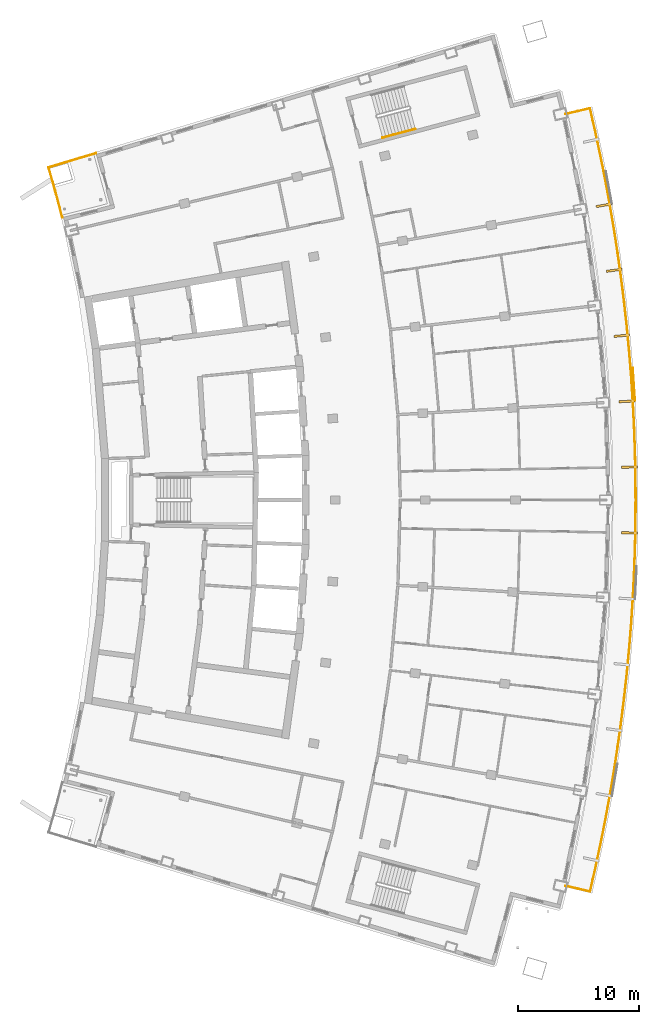
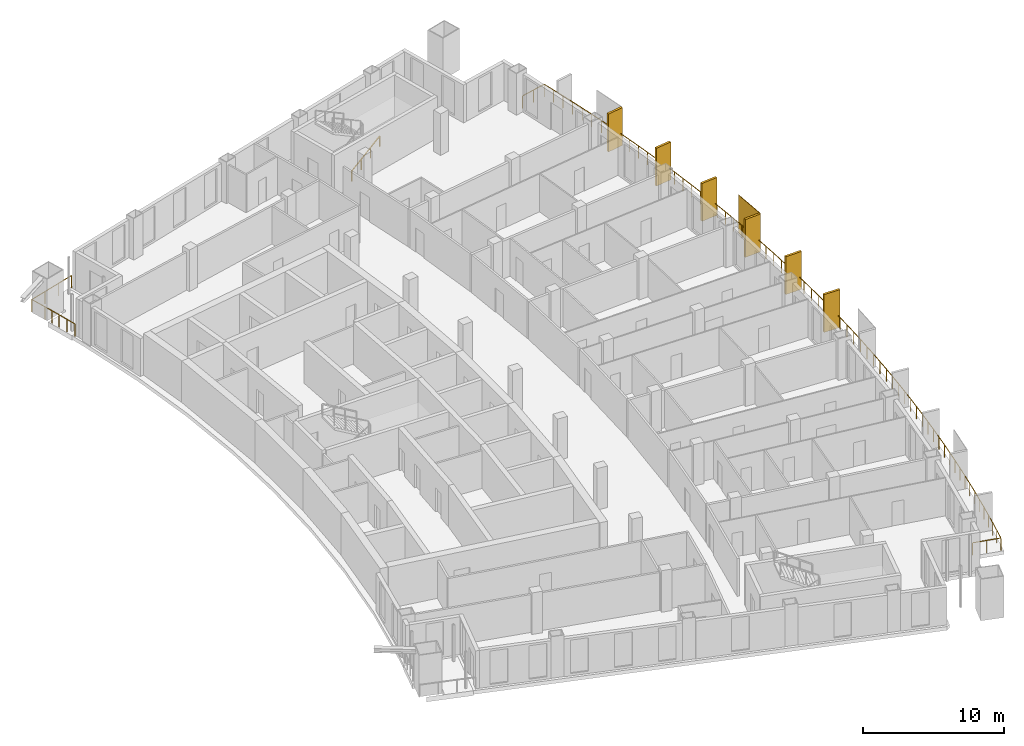
# One storey, part 18 of 19: 7 shading devices, 3 railings.
"""IFC4 building model written with IfcOpenShell, lengths in metres."""

from ifc_helpers import new_model, si_unit, direction, frame, origin, origin_2d, place, context, subcontext, project, spatial, rectangle, extrude, material, layer, layer_set, type_object, element, save


model = new_model("IFC4")

# Units and contexts
model_context = context("Model", 3, precision=1e-05, world=origin(), true_north=direction((0.0, 1.0)))
body_context = subcontext(model_context, "Body", "Model", "MODEL_VIEW")
ifc_project = project(units=[si_unit("LENGTHUNIT", "METRE"), si_unit("AREAUNIT", "SQUARE_METRE"), si_unit("VOLUMEUNIT", "CUBIC_METRE"), si_unit("PLANEANGLEUNIT", "RADIAN"), si_unit("MASSUNIT", "GRAM", prefix="KILO")], contexts=[model_context])

# Site, building, storey
site_placement = place(None, origin())
site = spatial("IfcSite", under=ifc_project, at=site_placement, CompositionType="ELEMENT")
building_placement = place(site_placement, origin())
building = spatial("IfcBuilding", under=site, at=building_placement, Name="Alderwake Tower", CompositionType="ELEMENT")
storey_placement = place(building_placement, frame((0.0, 0.0, 203.60009765625)))
storey = spatial("IfcBuildingStorey", under=building, at=storey_placement, Name="L50", CompositionType="ELEMENT", Elevation=203.60009765625)

# Railings
ifc_material_1 = material(Name="Stainless steel 316 rail and posts", Category="steel")
railing_type_1 = type_object("IfcRailingType", Name="Balcony guard 1100", PredefinedType="GUARDRAIL", material=ifc_material_1)
railing_1_placement = place(storey_placement, frame((54.86669921875, 29.048583984375, 0.0)))
element("IfcRailing", 1, at=railing_1_placement, inside=storey, type_object=railing_type_1, Name="Guard BF03", PredefinedType="GUARDRAIL", context=body_context, shape_type="SweptSolid", body=[
    extrude(rectangle(XDim=0.048095703125, YDim=0.048095703125, at=origin_2d()), frame((0.0, 0.0, 1.076171875), z_axis=(0.973069996158, -0.230509831846, 0.0), x_axis=(0.230509831846, 0.973069996158, 0.0)), (0.0, 0.0, 1.0), 2.100341796875),
    extrude(rectangle(XDim=0.048095703125, YDim=0.048095703125, at=origin_2d()), frame((2.043701171875, -0.484130859375, 1.076171875), z_axis=(0.223653450953, 0.974668730327, 0.0), x_axis=(-0.974668730327, 0.223653450953, 0.0)), (0.0, 0.0, 1.0), 1.951904296875),
    extrude(rectangle(XDim=0.048095703125, YDim=0.048095703125, at=origin_2d()), frame((2.480224609375, 1.418212890625, 1.076171875), z_axis=(0.209894744365, 0.977723987784, 0.0), x_axis=(-0.977723987784, 0.209894744365, 0.0)), (0.0, 0.0, 1.0), 2.0517578125),
    extrude(rectangle(XDim=0.048095703125, YDim=0.048095703125, at=origin_2d()), frame((2.910888671875, 3.42431640625, 1.076171875), z_axis=(0.195727136621, 0.980658395156, 0.0), x_axis=(-0.980658395156, 0.195727136621, 0.0)), (0.0, 0.0, 1.0), 2.052001953125),
    extrude(rectangle(XDim=0.048095703125, YDim=0.048095703125, at=origin_2d()), frame((3.3125, 5.4365234375, 1.076171875), z_axis=(0.18121997098, 0.983442587098, 0.0), x_axis=(-0.983442587098, 0.18121997098, 0.0)), (0.0, 0.0, 1.0), 2.0517578125),
    extrude(rectangle(XDim=0.048095703125, YDim=0.048095703125, at=origin_2d()), frame((3.684326171875, 7.454345703125, 1.076171875), z_axis=(0.166925923017, 0.985969439803, 0.0), x_axis=(-0.985969439803, 0.166925923017, 0.0)), (0.0, 0.0, 1.0), 2.052001953125),
    extrude(rectangle(XDim=0.048095703125, YDim=0.048095703125, at=origin_2d()), frame((4.02685546875, 9.4775390625, 1.076171875), z_axis=(0.152539987711, 0.988297299475, 0.0), x_axis=(-0.988297299475, 0.152539987711, 0.0)), (0.0, 0.0, 1.0), 2.0517578125),
    extrude(rectangle(XDim=0.048095703125, YDim=0.048095703125, at=origin_2d()), frame((4.33984375, 11.50537109375, 1.076171875), z_axis=(0.138139033555, 0.990412846952, 0.0), x_axis=(-0.990412846952, 0.138139033555, 0.0)), (0.0, 0.0, 1.0), 2.052001953125),
    extrude(rectangle(XDim=0.048095703125, YDim=0.048095703125, at=origin_2d()), frame((4.623291015625, 13.53759765625, 1.076171875), z_axis=(0.123507517364, 0.992343636627, 0.0), x_axis=(-0.992343636627, 0.123507517364, 0.0)), (0.0, 0.0, 1.0), 2.0517578125),
    extrude(rectangle(XDim=0.048095703125, YDim=0.048095703125, at=origin_2d()), frame((4.876708984375, 15.57373046875, 1.076171875), z_axis=(0.109229967975, 0.994016505948, 0.0), x_axis=(-0.994016505948, 0.109229967975, 0.0)), (0.0, 0.0, 1.0), 2.0517578125),
    extrude(rectangle(XDim=0.048095703125, YDim=0.048095703125, at=origin_2d()), frame((5.100830078125, 17.61328125, 1.076171875), z_axis=(0.094590111319, 0.995516303654, 0.0), x_axis=(-0.995516303654, 0.094590111319, 0.0)), (0.0, 0.0, 1.0), 2.052001953125),
    extrude(rectangle(XDim=0.048095703125, YDim=0.048095703125, at=origin_2d()), frame((5.294921875, 19.656005859375, 1.076171875), z_axis=(0.080199229738, 0.996778853884, 0.0), x_axis=(-0.996778853884, 0.080199229738, 0.0)), (0.0, 0.0, 1.0), 2.0517578125),
    extrude(rectangle(XDim=0.048095703125, YDim=0.048095703125, at=origin_2d()), frame((5.45947265625, 21.701171875, 1.076171875), z_axis=(0.065563376145, 0.997848407178, 0.0), x_axis=(-0.997848407178, 0.065563376145, 0.0)), (0.0, 0.0, 1.0), 2.0517578125),
    extrude(rectangle(XDim=0.048095703125, YDim=0.048095703125, at=origin_2d()), frame((5.593994140625, 23.74853515625, 1.076171875), z_axis=(0.051047382786, 0.99869623245, 0.0), x_axis=(-0.99869623245, 0.051047382786, 0.0)), (0.0, 0.0, 1.0), 2.0517578125),
    extrude(rectangle(XDim=0.048095703125, YDim=0.048095703125, at=origin_2d()), frame((5.69873046875, 25.797607421875, 1.076171875), z_axis=(0.036408752989, 0.999336981556, 0.0), x_axis=(-0.999336981556, 0.036408752989, 0.0)), (0.0, 0.0, 1.0), 2.052001953125),
    extrude(rectangle(XDim=0.048095703125, YDim=0.048095703125, at=origin_2d()), frame((5.7734375, 27.84814453125, 1.076171875), z_axis=(0.021891693926, 0.999760348152, 0.0), x_axis=(-0.999760348152, 0.021891693926, 0.0)), (0.0, 0.0, 1.0), 2.052001953125),
    extrude(rectangle(XDim=0.048095703125, YDim=0.048095703125, at=origin_2d()), frame((5.818359375, 29.899658203125, 1.076171875), z_axis=(0.00725825716, 0.999973658505, 0.0), x_axis=(-0.999973658505, 0.00725825716, 0.0)), (0.0, 0.0, 1.0), 2.0517578125),
    extrude(rectangle(XDim=0.048095703125, YDim=0.048095703125, at=origin_2d()), frame((5.833251953125, 31.951416015625, 1.076171875), z_axis=(-0.00725825716, 0.999973658505, 0.0), x_axis=(-0.999973658505, -0.00725825716, 0.0)), (0.0, 0.0, 1.0), 2.0517578125),
    extrude(rectangle(XDim=0.048095703125, YDim=0.048095703125, at=origin_2d()), frame((5.818359375, 34.003173828125, 1.076171875), z_axis=(-0.021891693926, 0.999760348152, 0.0), x_axis=(-0.999760348152, -0.021891693926, 0.0)), (0.0, 0.0, 1.0), 2.052001953125),
    extrude(rectangle(XDim=0.048095703125, YDim=0.048095703125, at=origin_2d()), frame((5.7734375, 36.0546875, 1.076171875), z_axis=(-0.036408752989, 0.999336981556, 0.0), x_axis=(-0.999336981556, -0.036408752989, 0.0)), (0.0, 0.0, 1.0), 2.052001953125),
    extrude(rectangle(XDim=0.048095703125, YDim=0.048095703125, at=origin_2d()), frame((5.69873046875, 38.105224609375, 1.076171875), z_axis=(-0.051047382786, 0.99869623245, 0.0), x_axis=(-0.99869623245, -0.051047382786, 0.0)), (0.0, 0.0, 1.0), 2.0517578125),
    extrude(rectangle(XDim=0.048095703125, YDim=0.048095703125, at=origin_2d()), frame((5.593994140625, 40.154296875, 1.076171875), z_axis=(-0.065563376145, 0.997848407178, 0.0), x_axis=(-0.997848407178, -0.065563376145, 0.0)), (0.0, 0.0, 1.0), 2.0517578125),
    extrude(rectangle(XDim=0.048095703125, YDim=0.048095703125, at=origin_2d()), frame((5.45947265625, 42.20166015625, 1.076171875), z_axis=(-0.080199229738, 0.996778853884, 0.0), x_axis=(-0.996778853884, -0.080199229738, 0.0)), (0.0, 0.0, 1.0), 2.0517578125),
    extrude(rectangle(XDim=0.048095703125, YDim=0.048095703125, at=origin_2d()), frame((5.294921875, 44.246826171875, 1.076171875), z_axis=(-0.094590111319, 0.995516303654, 0.0), x_axis=(-0.995516303654, -0.094590111319, 0.0)), (0.0, 0.0, 1.0), 2.052001953125),
    extrude(rectangle(XDim=0.048095703125, YDim=0.048095703125, at=origin_2d()), frame((5.100830078125, 46.28955078125, 1.076171875), z_axis=(-0.109229967975, 0.994016505948, 0.0), x_axis=(-0.994016505948, -0.109229967975, 0.0)), (0.0, 0.0, 1.0), 2.0517578125),
    extrude(rectangle(XDim=0.048095703125, YDim=0.048095703125, at=origin_2d()), frame((4.876708984375, 48.3291015625, 1.076171875), z_axis=(-0.123507517364, 0.992343636627, 0.0), x_axis=(-0.992343636627, -0.123507517364, 0.0)), (0.0, 0.0, 1.0), 2.0517578125),
    extrude(rectangle(XDim=0.048095703125, YDim=0.048095703125, at=origin_2d()), frame((4.623291015625, 50.365234375, 1.076171875), z_axis=(-0.138139033555, 0.990412846952, 0.0), x_axis=(-0.990412846952, -0.138139033555, 0.0)), (0.0, 0.0, 1.0), 2.052001953125),
    extrude(rectangle(XDim=0.048095703125, YDim=0.048095703125, at=origin_2d()), frame((4.33984375, 52.3974609375, 1.076171875), z_axis=(-0.152539987711, 0.988297299475, 0.0), x_axis=(-0.988297299475, -0.152539987711, 0.0)), (0.0, 0.0, 1.0), 2.0517578125),
    extrude(rectangle(XDim=0.048095703125, YDim=0.048095703125, at=origin_2d()), frame((4.02685546875, 54.42529296875, 1.076171875), z_axis=(-0.166925923017, 0.985969439803, 0.0), x_axis=(-0.985969439803, -0.166925923017, 0.0)), (0.0, 0.0, 1.0), 2.052001953125),
    extrude(rectangle(XDim=0.048095703125, YDim=0.048095703125, at=origin_2d()), frame((3.684326171875, 56.448486328125, 1.076171875), z_axis=(-0.18121997098, 0.983442587098, 0.0), x_axis=(-0.983442587098, -0.18121997098, 0.0)), (0.0, 0.0, 1.0), 2.0517578125),
    extrude(rectangle(XDim=0.048095703125, YDim=0.048095703125, at=origin_2d()), frame((3.3125, 58.46630859375, 1.076171875), z_axis=(-0.195727136621, 0.980658395156, 0.0), x_axis=(-0.980658395156, -0.195727136621, 0.0)), (0.0, 0.0, 1.0), 2.052001953125),
    extrude(rectangle(XDim=0.048095703125, YDim=0.048095703125, at=origin_2d()), frame((2.910888671875, 60.478515625, 1.076171875), z_axis=(-0.209894744365, 0.977723987784, 0.0), x_axis=(-0.977723987784, -0.209894744365, 0.0)), (0.0, 0.0, 1.0), 2.0517578125),
    extrude(rectangle(XDim=0.048095703125, YDim=0.048095703125, at=origin_2d()), frame((2.480224609375, 62.484619140625, 1.076171875), z_axis=(-0.223653450953, 0.974668730327, 0.0), x_axis=(-0.974668730327, -0.223653450953, 0.0)), (0.0, 0.0, 1.0), 1.951904296875),
    extrude(rectangle(XDim=0.048095703125, YDim=0.048095703125, at=origin_2d()), frame((2.043701171875, 64.386962890625, 1.076171875), z_axis=(-0.973069996158, -0.230509831846, 0.0), x_axis=(0.230509831846, -0.973069996158, 0.0)), (0.0, 0.0, 1.0), 2.100341796875),
    extrude(rectangle(XDim=0.0419921875, YDim=0.0419921875, at=origin_2d()), frame((0.0, 0.0, 0.0), z_axis=(0.0, 0.0, 1.0), x_axis=(0.973069996158, -0.230509831846, 0.0)), (0.0, 0.0, 1.0), 1.052001953125),
    extrude(rectangle(XDim=0.0419921875, YDim=0.0419921875, at=origin_2d()), frame((1.02197265625, -0.2421875, 0.0), z_axis=(0.0, 0.0, 1.0), x_axis=(0.973069996158, -0.230509831846, 0.0)), (0.0, 0.0, 1.0), 1.052001953125),
    extrude(rectangle(XDim=0.0419921875, YDim=0.0419921875, at=origin_2d()), frame((2.043701171875, -0.484130859375, 0.0), z_axis=(0.0, 0.0, 1.0), x_axis=(0.223653450953, 0.974668730327, 0.0)), (0.0, 0.0, 1.0), 1.052001953125),
    extrude(rectangle(XDim=0.0419921875, YDim=0.0419921875, at=origin_2d()), frame((2.261962890625, 0.467041015625, 0.0), z_axis=(0.0, 0.0, 1.0), x_axis=(0.223653450953, 0.974668730327, 0.0)), (0.0, 0.0, 1.0), 1.052001953125),
    extrude(rectangle(XDim=0.0419921875, YDim=0.0419921875, at=origin_2d()), frame((2.480224609375, 1.418212890625, 0.0), z_axis=(0.0, 0.0, 1.0), x_axis=(0.209894744365, 0.977723987784, 0.0)), (0.0, 0.0, 1.0), 1.052001953125),
    extrude(rectangle(XDim=0.0419921875, YDim=0.0419921875, at=origin_2d()), frame((2.695556640625, 2.42138671875, 0.0), z_axis=(0.0, 0.0, 1.0), x_axis=(0.209894744365, 0.977723987784, 0.0)), (0.0, 0.0, 1.0), 1.052001953125),
    extrude(rectangle(XDim=0.0419921875, YDim=0.0419921875, at=origin_2d()), frame((2.910888671875, 3.42431640625, 0.0), z_axis=(0.0, 0.0, 1.0), x_axis=(0.195727136621, 0.980658395156, 0.0)), (0.0, 0.0, 1.0), 1.052001953125),
    extrude(rectangle(XDim=0.0419921875, YDim=0.0419921875, at=origin_2d()), frame((3.11181640625, 4.430419921875, 0.0), z_axis=(0.0, 0.0, 1.0), x_axis=(0.195727136621, 0.980658395156, 0.0)), (0.0, 0.0, 1.0), 1.052001953125),
    extrude(rectangle(XDim=0.0419921875, YDim=0.0419921875, at=origin_2d()), frame((3.3125, 5.4365234375, 0.0), z_axis=(0.0, 0.0, 1.0), x_axis=(0.18121997098, 0.983442587098, 0.0)), (0.0, 0.0, 1.0), 1.052001953125),
    extrude(rectangle(XDim=0.0419921875, YDim=0.0419921875, at=origin_2d()), frame((3.49853515625, 6.4453125, 0.0), z_axis=(0.0, 0.0, 1.0), x_axis=(0.18121997098, 0.983442587098, 0.0)), (0.0, 0.0, 1.0), 1.052001953125),
    extrude(rectangle(XDim=0.0419921875, YDim=0.0419921875, at=origin_2d()), frame((3.684326171875, 7.454345703125, 0.0), z_axis=(0.0, 0.0, 1.0), x_axis=(0.166925923017, 0.985969439803, 0.0)), (0.0, 0.0, 1.0), 1.052001953125),
    extrude(rectangle(XDim=0.0419921875, YDim=0.0419921875, at=origin_2d()), frame((3.85546875, 8.4658203125, 0.0), z_axis=(0.0, 0.0, 1.0), x_axis=(0.166925923017, 0.985969439803, 0.0)), (0.0, 0.0, 1.0), 1.052001953125),
    extrude(rectangle(XDim=0.0419921875, YDim=0.0419921875, at=origin_2d()), frame((4.02685546875, 9.4775390625, 0.0), z_axis=(0.0, 0.0, 1.0), x_axis=(0.152539987711, 0.988297299475, 0.0)), (0.0, 0.0, 1.0), 1.052001953125),
    extrude(rectangle(XDim=0.0419921875, YDim=0.0419921875, at=origin_2d()), frame((4.183349609375, 10.491455078125, 0.0), z_axis=(0.0, 0.0, 1.0), x_axis=(0.152539987711, 0.988297299475, 0.0)), (0.0, 0.0, 1.0), 1.052001953125),
    extrude(rectangle(XDim=0.0419921875, YDim=0.0419921875, at=origin_2d()), frame((4.33984375, 11.50537109375, 0.0), z_axis=(0.0, 0.0, 1.0), x_axis=(0.138139033555, 0.990412846952, 0.0)), (0.0, 0.0, 1.0), 1.052001953125),
    extrude(rectangle(XDim=0.0419921875, YDim=0.0419921875, at=origin_2d()), frame((4.4814453125, 12.521484375, 0.0), z_axis=(0.0, 0.0, 1.0), x_axis=(0.138139033555, 0.990412846952, 0.0)), (0.0, 0.0, 1.0), 1.052001953125),
    extrude(rectangle(XDim=0.0419921875, YDim=0.0419921875, at=origin_2d()), frame((4.623291015625, 13.53759765625, 0.0), z_axis=(0.0, 0.0, 1.0), x_axis=(0.123507517364, 0.992343636627, 0.0)), (0.0, 0.0, 1.0), 1.052001953125),
    extrude(rectangle(XDim=0.0419921875, YDim=0.0419921875, at=origin_2d()), frame((4.75, 14.5556640625, 0.0), z_axis=(0.0, 0.0, 1.0), x_axis=(0.123507517364, 0.992343636627, 0.0)), (0.0, 0.0, 1.0), 1.052001953125),
    extrude(rectangle(XDim=0.0419921875, YDim=0.0419921875, at=origin_2d()), frame((4.876708984375, 15.57373046875, 0.0), z_axis=(0.0, 0.0, 1.0), x_axis=(0.109229967975, 0.994016505948, 0.0)), (0.0, 0.0, 1.0), 1.052001953125),
    extrude(rectangle(XDim=0.0419921875, YDim=0.0419921875, at=origin_2d()), frame((4.98876953125, 16.593505859375, 0.0), z_axis=(0.0, 0.0, 1.0), x_axis=(0.109229967975, 0.994016505948, 0.0)), (0.0, 0.0, 1.0), 1.052001953125),
    extrude(rectangle(XDim=0.0419921875, YDim=0.0419921875, at=origin_2d()), frame((5.100830078125, 17.61328125, 0.0), z_axis=(0.0, 0.0, 1.0), x_axis=(0.094590111319, 0.995516303654, 0.0)), (0.0, 0.0, 1.0), 1.052001953125),
    extrude(rectangle(XDim=0.0419921875, YDim=0.0419921875, at=origin_2d()), frame((5.19775390625, 18.634765625, 0.0), z_axis=(0.0, 0.0, 1.0), x_axis=(0.094590111319, 0.995516303654, 0.0)), (0.0, 0.0, 1.0), 1.052001953125),
    extrude(rectangle(XDim=0.0419921875, YDim=0.0419921875, at=origin_2d()), frame((5.294921875, 19.656005859375, 0.0), z_axis=(0.0, 0.0, 1.0), x_axis=(0.080199229738, 0.996778853884, 0.0)), (0.0, 0.0, 1.0), 1.052001953125),
    extrude(rectangle(XDim=0.0419921875, YDim=0.0419921875, at=origin_2d()), frame((5.377197265625, 20.6787109375, 0.0), z_axis=(0.0, 0.0, 1.0), x_axis=(0.080199229738, 0.996778853884, 0.0)), (0.0, 0.0, 1.0), 1.052001953125),
    extrude(rectangle(XDim=0.0419921875, YDim=0.0419921875, at=origin_2d()), frame((5.45947265625, 21.701171875, 0.0), z_axis=(0.0, 0.0, 1.0), x_axis=(0.065563376145, 0.997848407178, 0.0)), (0.0, 0.0, 1.0), 1.052001953125),
    extrude(rectangle(XDim=0.0419921875, YDim=0.0419921875, at=origin_2d()), frame((5.52685546875, 22.724853515625, 0.0), z_axis=(0.0, 0.0, 1.0), x_axis=(0.065563376145, 0.997848407178, 0.0)), (0.0, 0.0, 1.0), 1.052001953125),
    extrude(rectangle(XDim=0.0419921875, YDim=0.0419921875, at=origin_2d()), frame((5.593994140625, 23.74853515625, 0.0), z_axis=(0.0, 0.0, 1.0), x_axis=(0.051047382786, 0.99869623245, 0.0)), (0.0, 0.0, 1.0), 1.052001953125),
    extrude(rectangle(XDim=0.0419921875, YDim=0.0419921875, at=origin_2d()), frame((5.646484375, 24.77294921875, 0.0), z_axis=(0.0, 0.0, 1.0), x_axis=(0.051047382786, 0.99869623245, 0.0)), (0.0, 0.0, 1.0), 1.052001953125),
    extrude(rectangle(XDim=0.0419921875, YDim=0.0419921875, at=origin_2d()), frame((5.69873046875, 25.797607421875, 0.0), z_axis=(0.0, 0.0, 1.0), x_axis=(0.036408752989, 0.999336981556, 0.0)), (0.0, 0.0, 1.0), 1.052001953125),
    extrude(rectangle(XDim=0.0419921875, YDim=0.0419921875, at=origin_2d()), frame((5.736083984375, 26.82275390625, 0.0), z_axis=(0.0, 0.0, 1.0), x_axis=(0.036408752989, 0.999336981556, 0.0)), (0.0, 0.0, 1.0), 1.052001953125),
    extrude(rectangle(XDim=0.0419921875, YDim=0.0419921875, at=origin_2d()), frame((5.7734375, 27.84814453125, 0.0), z_axis=(0.0, 0.0, 1.0), x_axis=(0.021891693926, 0.999760348152, 0.0)), (0.0, 0.0, 1.0), 1.052001953125),
    extrude(rectangle(XDim=0.0419921875, YDim=0.0419921875, at=origin_2d()), frame((5.7958984375, 28.8740234375, 0.0), z_axis=(0.0, 0.0, 1.0), x_axis=(0.021891693926, 0.999760348152, 0.0)), (0.0, 0.0, 1.0), 1.052001953125),
    extrude(rectangle(XDim=0.0419921875, YDim=0.0419921875, at=origin_2d()), frame((5.818359375, 29.899658203125, 0.0), z_axis=(0.0, 0.0, 1.0), x_axis=(0.00725825716, 0.999973658505, 0.0)), (0.0, 0.0, 1.0), 1.052001953125),
    extrude(rectangle(XDim=0.0419921875, YDim=0.0419921875, at=origin_2d()), frame((5.82568359375, 30.925537109375, 0.0), z_axis=(0.0, 0.0, 1.0), x_axis=(0.00725825716, 0.999973658505, 0.0)), (0.0, 0.0, 1.0), 1.052001953125),
    extrude(rectangle(XDim=0.0419921875, YDim=0.0419921875, at=origin_2d()), frame((5.833251953125, 31.951416015625, 0.0), z_axis=(0.0, 0.0, 1.0), x_axis=(-0.00725825716, 0.999973658505, 0.0)), (0.0, 0.0, 1.0), 1.052001953125),
    extrude(rectangle(XDim=0.0419921875, YDim=0.0419921875, at=origin_2d()), frame((5.82568359375, 32.977294921875, 0.0), z_axis=(0.0, 0.0, 1.0), x_axis=(-0.00725825716, 0.999973658505, 0.0)), (0.0, 0.0, 1.0), 1.052001953125),
    extrude(rectangle(XDim=0.0419921875, YDim=0.0419921875, at=origin_2d()), frame((5.818359375, 34.003173828125, 0.0), z_axis=(0.0, 0.0, 1.0), x_axis=(-0.021891693926, 0.999760348152, 0.0)), (0.0, 0.0, 1.0), 1.052001953125),
    extrude(rectangle(XDim=0.0419921875, YDim=0.0419921875, at=origin_2d()), frame((5.7958984375, 35.02880859375, 0.0), z_axis=(0.0, 0.0, 1.0), x_axis=(-0.021891693926, 0.999760348152, 0.0)), (0.0, 0.0, 1.0), 1.052001953125),
    extrude(rectangle(XDim=0.0419921875, YDim=0.0419921875, at=origin_2d()), frame((5.7734375, 36.0546875, 0.0), z_axis=(0.0, 0.0, 1.0), x_axis=(-0.036408752989, 0.999336981556, 0.0)), (0.0, 0.0, 1.0), 1.052001953125),
    extrude(rectangle(XDim=0.0419921875, YDim=0.0419921875, at=origin_2d()), frame((5.736083984375, 37.080078125, 0.0), z_axis=(0.0, 0.0, 1.0), x_axis=(-0.036408752989, 0.999336981556, 0.0)), (0.0, 0.0, 1.0), 1.052001953125),
    extrude(rectangle(XDim=0.0419921875, YDim=0.0419921875, at=origin_2d()), frame((5.69873046875, 38.105224609375, 0.0), z_axis=(0.0, 0.0, 1.0), x_axis=(-0.051047382786, 0.99869623245, 0.0)), (0.0, 0.0, 1.0), 1.052001953125),
    extrude(rectangle(XDim=0.0419921875, YDim=0.0419921875, at=origin_2d()), frame((5.646484375, 39.1298828125, 0.0), z_axis=(0.0, 0.0, 1.0), x_axis=(-0.051047382786, 0.99869623245, 0.0)), (0.0, 0.0, 1.0), 1.052001953125),
    extrude(rectangle(XDim=0.0419921875, YDim=0.0419921875, at=origin_2d()), frame((5.593994140625, 40.154296875, 0.0), z_axis=(0.0, 0.0, 1.0), x_axis=(-0.065563376145, 0.997848407178, 0.0)), (0.0, 0.0, 1.0), 1.052001953125),
    extrude(rectangle(XDim=0.0419921875, YDim=0.0419921875, at=origin_2d()), frame((5.52685546875, 41.177978515625, 0.0), z_axis=(0.0, 0.0, 1.0), x_axis=(-0.065563376145, 0.997848407178, 0.0)), (0.0, 0.0, 1.0), 1.052001953125),
    extrude(rectangle(XDim=0.0419921875, YDim=0.0419921875, at=origin_2d()), frame((5.45947265625, 42.20166015625, 0.0), z_axis=(0.0, 0.0, 1.0), x_axis=(-0.080199229738, 0.996778853884, 0.0)), (0.0, 0.0, 1.0), 1.052001953125),
    extrude(rectangle(XDim=0.0419921875, YDim=0.0419921875, at=origin_2d()), frame((5.377197265625, 43.22412109375, 0.0), z_axis=(0.0, 0.0, 1.0), x_axis=(-0.080199229738, 0.996778853884, 0.0)), (0.0, 0.0, 1.0), 1.052001953125),
    extrude(rectangle(XDim=0.0419921875, YDim=0.0419921875, at=origin_2d()), frame((5.294921875, 44.246826171875, 0.0), z_axis=(0.0, 0.0, 1.0), x_axis=(-0.094590111319, 0.995516303654, 0.0)), (0.0, 0.0, 1.0), 1.052001953125),
    extrude(rectangle(XDim=0.0419921875, YDim=0.0419921875, at=origin_2d()), frame((5.19775390625, 45.26806640625, 0.0), z_axis=(0.0, 0.0, 1.0), x_axis=(-0.094590111319, 0.995516303654, 0.0)), (0.0, 0.0, 1.0), 1.052001953125),
    extrude(rectangle(XDim=0.0419921875, YDim=0.0419921875, at=origin_2d()), frame((5.100830078125, 46.28955078125, 0.0), z_axis=(0.0, 0.0, 1.0), x_axis=(-0.109229967975, 0.994016505948, 0.0)), (0.0, 0.0, 1.0), 1.052001953125),
    extrude(rectangle(XDim=0.0419921875, YDim=0.0419921875, at=origin_2d()), frame((4.98876953125, 47.309326171875, 0.0), z_axis=(0.0, 0.0, 1.0), x_axis=(-0.109229967975, 0.994016505948, 0.0)), (0.0, 0.0, 1.0), 1.052001953125),
    extrude(rectangle(XDim=0.0419921875, YDim=0.0419921875, at=origin_2d()), frame((4.876708984375, 48.3291015625, 0.0), z_axis=(0.0, 0.0, 1.0), x_axis=(-0.123507517364, 0.992343636627, 0.0)), (0.0, 0.0, 1.0), 1.052001953125),
    extrude(rectangle(XDim=0.0419921875, YDim=0.0419921875, at=origin_2d()), frame((4.75, 49.34716796875, 0.0), z_axis=(0.0, 0.0, 1.0), x_axis=(-0.123507517364, 0.992343636627, 0.0)), (0.0, 0.0, 1.0), 1.052001953125),
    extrude(rectangle(XDim=0.0419921875, YDim=0.0419921875, at=origin_2d()), frame((4.623291015625, 50.365234375, 0.0), z_axis=(0.0, 0.0, 1.0), x_axis=(-0.138139033555, 0.990412846952, 0.0)), (0.0, 0.0, 1.0), 1.052001953125),
    extrude(rectangle(XDim=0.0419921875, YDim=0.0419921875, at=origin_2d()), frame((4.4814453125, 51.38134765625, 0.0), z_axis=(0.0, 0.0, 1.0), x_axis=(-0.138139033555, 0.990412846952, 0.0)), (0.0, 0.0, 1.0), 1.052001953125),
    extrude(rectangle(XDim=0.0419921875, YDim=0.0419921875, at=origin_2d()), frame((4.33984375, 52.3974609375, 0.0), z_axis=(0.0, 0.0, 1.0), x_axis=(-0.152539987711, 0.988297299475, 0.0)), (0.0, 0.0, 1.0), 1.052001953125),
    extrude(rectangle(XDim=0.0419921875, YDim=0.0419921875, at=origin_2d()), frame((4.183349609375, 53.411376953125, 0.0), z_axis=(0.0, 0.0, 1.0), x_axis=(-0.152539987711, 0.988297299475, 0.0)), (0.0, 0.0, 1.0), 1.052001953125),
    extrude(rectangle(XDim=0.0419921875, YDim=0.0419921875, at=origin_2d()), frame((4.02685546875, 54.42529296875, 0.0), z_axis=(0.0, 0.0, 1.0), x_axis=(-0.166925923017, 0.985969439803, 0.0)), (0.0, 0.0, 1.0), 1.052001953125),
    extrude(rectangle(XDim=0.0419921875, YDim=0.0419921875, at=origin_2d()), frame((3.85546875, 55.43701171875, 0.0), z_axis=(0.0, 0.0, 1.0), x_axis=(-0.166925923017, 0.985969439803, 0.0)), (0.0, 0.0, 1.0), 1.052001953125),
    extrude(rectangle(XDim=0.0419921875, YDim=0.0419921875, at=origin_2d()), frame((3.684326171875, 56.448486328125, 0.0), z_axis=(0.0, 0.0, 1.0), x_axis=(-0.18121997098, 0.983442587098, 0.0)), (0.0, 0.0, 1.0), 1.052001953125),
    extrude(rectangle(XDim=0.0419921875, YDim=0.0419921875, at=origin_2d()), frame((3.49853515625, 57.45751953125, 0.0), z_axis=(0.0, 0.0, 1.0), x_axis=(-0.18121997098, 0.983442587098, 0.0)), (0.0, 0.0, 1.0), 1.052001953125),
    extrude(rectangle(XDim=0.0419921875, YDim=0.0419921875, at=origin_2d()), frame((3.3125, 58.46630859375, 0.0), z_axis=(0.0, 0.0, 1.0), x_axis=(-0.195727136621, 0.980658395156, 0.0)), (0.0, 0.0, 1.0), 1.052001953125),
    extrude(rectangle(XDim=0.0419921875, YDim=0.0419921875, at=origin_2d()), frame((3.11181640625, 59.472412109375, 0.0), z_axis=(0.0, 0.0, 1.0), x_axis=(-0.195727136621, 0.980658395156, 0.0)), (0.0, 0.0, 1.0), 1.052001953125),
    extrude(rectangle(XDim=0.0419921875, YDim=0.0419921875, at=origin_2d()), frame((2.910888671875, 60.478515625, 0.0), z_axis=(0.0, 0.0, 1.0), x_axis=(-0.209894744365, 0.977723987784, 0.0)), (0.0, 0.0, 1.0), 1.052001953125),
    extrude(rectangle(XDim=0.0419921875, YDim=0.0419921875, at=origin_2d()), frame((2.695556640625, 61.4814453125, 0.0), z_axis=(0.0, 0.0, 1.0), x_axis=(-0.209894744365, 0.977723987784, 0.0)), (0.0, 0.0, 1.0), 1.052001953125),
    extrude(rectangle(XDim=0.0419921875, YDim=0.0419921875, at=origin_2d()), frame((2.480224609375, 62.484619140625, 0.0), z_axis=(0.0, 0.0, 1.0), x_axis=(-0.223653450953, 0.974668730327, 0.0)), (0.0, 0.0, 1.0), 1.052001953125),
    extrude(rectangle(XDim=0.0419921875, YDim=0.0419921875, at=origin_2d()), frame((2.261962890625, 63.435791015625, 0.0), z_axis=(0.0, 0.0, 1.0), x_axis=(-0.223653450953, 0.974668730327, 0.0)), (0.0, 0.0, 1.0), 1.052001953125),
    extrude(rectangle(XDim=0.0419921875, YDim=0.0419921875, at=origin_2d()), frame((2.043701171875, 64.386962890625, 0.0), z_axis=(0.0, 0.0, 1.0), x_axis=(-0.973069996158, -0.230509831846, 0.0)), (0.0, 0.0, 1.0), 1.052001953125),
    extrude(rectangle(XDim=0.0419921875, YDim=0.0419921875, at=origin_2d()), frame((1.02197265625, 64.14501953125, 0.0), z_axis=(0.0, 0.0, 1.0), x_axis=(-0.973069996158, -0.230509831846, 0.0)), (0.0, 0.0, 1.0), 1.052001953125),
    extrude(rectangle(XDim=0.0419921875, YDim=0.0419921875, at=origin_2d()), frame((0.0, 63.90283203125, 0.0), z_axis=(0.0, 0.0, 1.0), x_axis=(-0.973069996158, -0.230509831846, 0.0)), (0.0, 0.0, 1.0), 1.052001953125),
])
railing_2_placement = place(storey_placement, frame((13.210693359375, 84.387451171875, 0.0)))
element("IfcRailing", 2, at=railing_2_placement, inside=storey, type_object=railing_type_1, Name="Guard terrace RN", PredefinedType="GUARDRAIL", context=body_context, shape_type="SweptSolid", body=[
    extrude(rectangle(XDim=0.048095703125, YDim=0.048095703125, at=origin_2d()), frame((0.0, 0.0, 1.076171875), z_axis=(-0.251385381433, 0.967887075026, 0.0), x_axis=(-0.967887075026, -0.251385381433, 0.0)), (0.0, 0.0, 1.0), 1.6015625),
    extrude(rectangle(XDim=0.048095703125, YDim=0.048095703125, at=origin_2d()), frame((-0.402587890625, 1.550048828125, 1.076171875), z_axis=(-0.266520638672, 0.963829211615, 0.0), x_axis=(-0.963829211615, -0.266520638672, 0.0)), (0.0, 0.0, 1.0), 1.401611328125),
    extrude(rectangle(XDim=0.048095703125, YDim=0.048095703125, at=origin_2d()), frame((-0.776123046875, 2.90087890625, 1.076171875), z_axis=(-0.280093650878, 0.959972680204, 0.0), x_axis=(-0.959972680204, -0.280093650878, 0.0)), (0.0, 0.0, 1.0), 1.30126953125),
    extrude(rectangle(XDim=0.048095703125, YDim=0.048095703125, at=origin_2d()), frame((-1.140625, 4.150146484375, 1.076171875), z_axis=(0.958066871889, 0.286544706789, 0.0), x_axis=(-0.286544706789, 0.958066871889, 0.0)), (0.0, 0.0, 1.0), 4.099853515625),
    extrude(rectangle(XDim=0.0419921875, YDim=0.0419921875, at=origin_2d()), frame((0.0, 0.0, 0.0), z_axis=(0.0, 0.0, 1.0), x_axis=(-0.251385381433, 0.967887075026, 0.0)), (0.0, 0.0, 1.0), 1.052001953125),
    extrude(rectangle(XDim=0.0419921875, YDim=0.0419921875, at=origin_2d()), frame((-0.201171875, 0.77490234375, 0.0), z_axis=(0.0, 0.0, 1.0), x_axis=(-0.251385381433, 0.967887075026, 0.0)), (0.0, 0.0, 1.0), 1.052001953125),
    extrude(rectangle(XDim=0.0419921875, YDim=0.0419921875, at=origin_2d()), frame((-0.402587890625, 1.550048828125, 0.0), z_axis=(0.0, 0.0, 1.0), x_axis=(-0.266520638672, 0.963829211615, 0.0)), (0.0, 0.0, 1.0), 1.052001953125),
    extrude(rectangle(XDim=0.0419921875, YDim=0.0419921875, at=origin_2d()), frame((-0.58935546875, 2.2255859375, 0.0), z_axis=(0.0, 0.0, 1.0), x_axis=(-0.266520638672, 0.963829211615, 0.0)), (0.0, 0.0, 1.0), 1.052001953125),
    extrude(rectangle(XDim=0.0419921875, YDim=0.0419921875, at=origin_2d()), frame((-0.776123046875, 2.90087890625, 0.0), z_axis=(0.0, 0.0, 1.0), x_axis=(-0.280093650878, 0.959972680204, 0.0)), (0.0, 0.0, 1.0), 1.052001953125),
    extrude(rectangle(XDim=0.0419921875, YDim=0.0419921875, at=origin_2d()), frame((-1.140625, 4.150146484375, 0.0), z_axis=(0.0, 0.0, 1.0), x_axis=(0.958066871889, 0.286544706789, 0.0)), (0.0, 0.0, 1.0), 1.052001953125),
    extrude(rectangle(XDim=0.0419921875, YDim=0.0419921875, at=origin_2d()), frame((0.168701171875, 4.541748046875, 0.0), z_axis=(0.0, 0.0, 1.0), x_axis=(0.958066871889, 0.286544706789, 0.0)), (0.0, 0.0, 1.0), 1.052001953125),
    extrude(rectangle(XDim=0.0419921875, YDim=0.0419921875, at=origin_2d()), frame((1.47802734375, 4.933349609375, 0.0), z_axis=(0.0, 0.0, 1.0), x_axis=(0.958066871889, 0.286544706789, 0.0)), (0.0, 0.0, 1.0), 1.052001953125),
    extrude(rectangle(XDim=0.0419921875, YDim=0.0419921875, at=origin_2d()), frame((2.787353515625, 5.324951171875, 0.0), z_axis=(0.0, 0.0, 1.0), x_axis=(0.958066871889, 0.286544706789, 0.0)), (0.0, 0.0, 1.0), 1.052001953125),
])

# Shading devices
ifc_material_2 = material(Name="Bronze anodised aluminium", Category="aluminium")
ifc_layer_1 = layer(ifc_material_2, 0.179931640625)
ifc_layer_set_1 = layer_set([ifc_layer_1], Name="Facade fin 1300")
shading_device_type_1 = type_object("IfcShadingDeviceType", Name="Facade fin 1300", PredefinedType="USERDEFINED", material=ifc_layer_set_1)
for number, where, z_axis, x_axis, name in (
    (3, (60.173583984375, 58.2802734375, 0.0), (0.0, 0.0, 1.0), (0.999811838809, -0.019398117887, 0.0), "Fin"),
    (4, (60.173583984375, 63.7197265625, 0.0), (0.0, 0.0, 1.0), (0.999811838809, 0.019398117887, 0.0), "Fin"),
    (5, (59.9619140625, 69.1689453125, 0.0), (0.0, 0.0, 1.0), (0.998301080988, 0.058266214038, 0.0), "Fin"),
    (6, (59.5380859375, 74.60595703125, 0.0), (0.0, 0.0, 1.0), (0.995279882363, 0.097046152751, 0.0), "Fin"),
    (7, (58.903564453125, 80.0224609375, 0.0), (0.0, 0.0, 1.0), (0.990752577235, 0.135680988728, 0.0), "Fin"),
    (8, (58.05859375, 85.409912109375, 0.0), (0.0, 0.0, 1.0), (0.984726421654, 0.174108800747, 0.0), "Fin"),
):
    element("IfcShadingDevice", number, at=place(storey_placement, frame(where, z_axis=z_axis, x_axis=x_axis)), inside=storey, type_object=shading_device_type_1, Name=name, ObjectType="FIN", PredefinedType="USERDEFINED", context=body_context, shape_type="SweptSolid", body=[
        extrude(rectangle(XDim=1.300048828125, YDim=0.179931640625, at=origin_2d()), origin(), (0.0, 0.0, 1.0), 3.280029296875),
    ])
ifc_material_3 = material(Name="Perforated bronze anodised aluminium", Category="aluminium")
ifc_layer_2 = layer(ifc_material_3, 0.050048828125)
ifc_layer_set_2 = layer_set([ifc_layer_2], Name="Perforated screen panel")
shading_device_type_2 = type_object("IfcShadingDeviceType", Name="Perforated screen panel", PredefinedType="USERDEFINED", material=ifc_layer_set_2)
shading_device_placement = place(storey_placement, frame((60.542236328125, 70.57861328125, 0.0), z_axis=(0.0, 0.0, 1.0), x_axis=(0.997685465774, 0.067997877779, 0.0)))
element("IfcShadingDevice", 9, at=shading_device_placement, inside=storey, type_object=shading_device_type_2, Name="Screen panel", ObjectType="SCREEN", PredefinedType="USERDEFINED", context=body_context, shape_type="SweptSolid", body=[
    extrude(rectangle(XDim=0.050048828125, YDim=2.7470703125, at=origin_2d()), origin(), (0.0, 0.0, 1.0), 3.280029296875),
])

# Railing
ifc_material_4 = material(Name="Stainless steel handrail", Category="steel")
railing_type_2 = type_object("IfcRailingType", Name="Stair handrail 900", PredefinedType="HANDRAIL", material=ifc_material_4)
railing_3_placement = place(storey_placement, frame((39.731689453125, 91.002685546875, 0.16357421875)))
element("IfcRailing", 10, at=railing_3_placement, inside=storey, type_object=railing_type_2, Name="L50 ST-A stair handrail 1", PredefinedType="HANDRAIL", context=body_context, shape_type="SweptSolid", body=[
    extrude(rectangle(XDim=0.048095703125, YDim=0.048095703125, at=origin_2d()), frame((0.0, 0.0, 0.8759765625), z_axis=(0.834290631165, 0.222236594766, 0.504549342183), x_axis=(-0.257402139082, 0.966304371715, 0.0)), (0.0, 0.0, 1.0), 3.242919921875),
    extrude(rectangle(XDim=0.0419921875, YDim=0.0419921875, at=origin_2d()), frame((0.0, 0.0, 0.0), z_axis=(0.0, 0.0, 1.0), x_axis=(0.966304371715, 0.257402139082, 0.0)), (0.0, 0.0, 1.0), 0.851806640625),
    extrude(rectangle(XDim=0.0419921875, YDim=0.0419921875, at=origin_2d()), frame((0.90185546875, 0.240234375, 0.54541015625), z_axis=(0.0, 0.0, 1.0), x_axis=(0.966304371715, 0.257402139082, 0.0)), (0.0, 0.0, 1.0), 0.851806640625),
    extrude(rectangle(XDim=0.0419921875, YDim=0.0419921875, at=origin_2d()), frame((1.8037109375, 0.48046875, 1.0908203125), z_axis=(0.0, 0.0, 1.0), x_axis=(0.966304371715, 0.257402139082, 0.0)), (0.0, 0.0, 1.0), 0.851806640625),
    extrude(rectangle(XDim=0.0419921875, YDim=0.0419921875, at=origin_2d()), frame((2.70556640625, 0.720703125, 1.63623046875), z_axis=(0.0, 0.0, 1.0), x_axis=(0.966304371715, 0.257402139082, 0.0)), (0.0, 0.0, 1.0), 0.851806640625),
])

save(model, "model.ifc")
